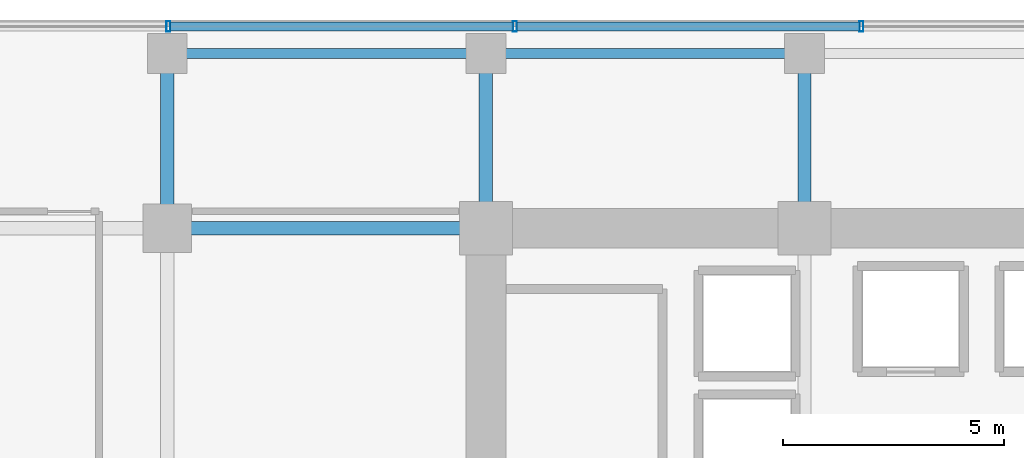
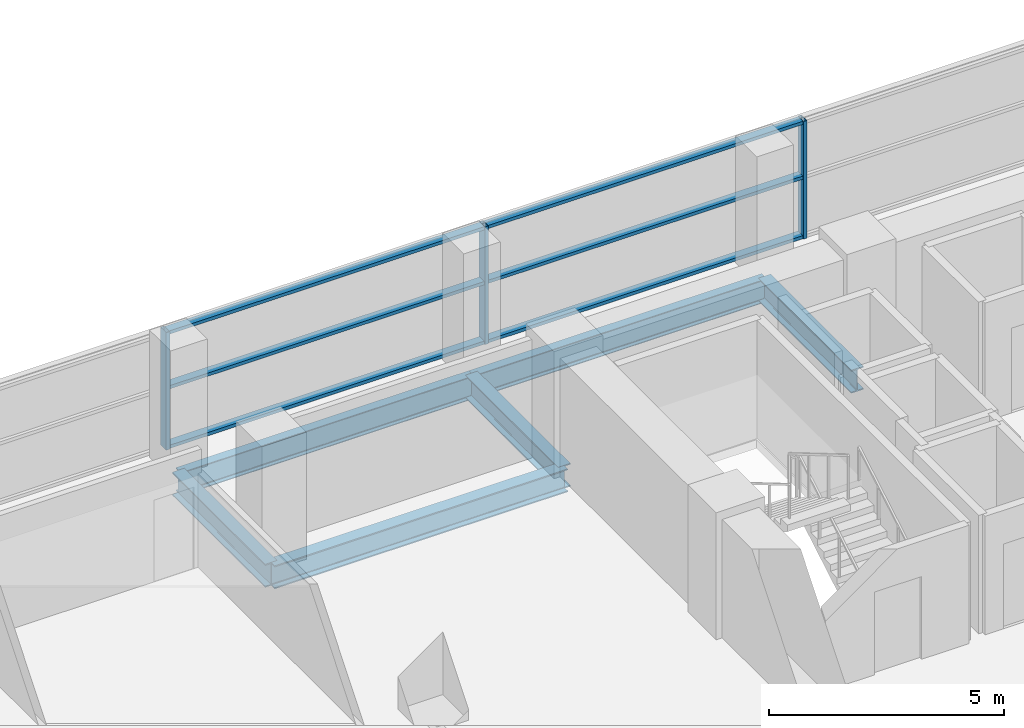
# One storey, part 17 of 30: 9 members, 6 beams, 1 element without a shape of its own.
"""IFC4 building model written with IfcOpenShell, lengths in metres."""

import ifcopenshell
import ifcopenshell.guid

model = None  # the IFC model being written
_history = None  # IfcOwnerHistory: only IFC2X3 demands one
_inside = {}  # id of a spatial element -> (the spatial element, [elements in it])
_under = {}  # id of a project, library or spatial element -> (it, [spatial elements below it])
_declared = {}  # id of a project -> (the project, [libraries it declares])
_typed = {}  # id of a type object -> (the type object, [elements of that type])
_made_of = {}  # id of a material, layer set ... -> (it, [elements and type objects made of it])


def new_model(schema):
    """Start an empty IFC model of exactly this schema.

    Asked for "IFC4X3", IfcOpenShell would pick the latest addendum, in which some entities
    have other attributes; the version numbers below select the first issue.
    IFC2X3 requires an IfcOwnerHistory on every rooted entity: one is made here for all.
    """
    global model, _history
    if schema == "IFC4X3":
        model = ifcopenshell.file(schema_version=(4, 3, 0, 0))
    else:
        model = ifcopenshell.file(schema=schema)
    _inside.clear()
    _under.clear()
    _declared.clear()
    _typed.clear()
    _made_of.clear()
    _history = None
    if model.schema == "IFC2X3":
        org = make("IfcOrganization", Name="unknown")
        user = make(
            "IfcPersonAndOrganization",
            ThePerson=make("IfcPerson", FamilyName="unknown"),
            TheOrganization=org,
        )
        app = make(
            "IfcApplication",
            ApplicationDeveloper=org,
            Version="unknown",
            ApplicationFullName="unknown",
            ApplicationIdentifier="unknown",
        )
        _history = make(
            "IfcOwnerHistory",
            OwningUser=user,
            OwningApplication=app,
            ChangeAction="ADDED",
            CreationDate=0,
        )
    return model


def make(cls, **values):
    """One entity of the class cls with the attributes given. An attribute that is None is left unset."""
    return model.create_entity(
        cls, **{name: value for name, value in values.items() if value is not None}
    )


def rooted(cls, **values):
    """An entity with a GlobalId (a new one), such as an element, a storey or a relation."""
    return make(cls, GlobalId=ifcopenshell.guid.new(), OwnerHistory=_history, **values)


def si_unit(unit_type, name, prefix=None):
    """IfcSIUnit, for example si_unit("LENGTHUNIT", "METRE", prefix="MILLI")."""
    return make("IfcSIUnit", UnitType=unit_type, Prefix=prefix, Name=name)


def assignment(units):
    """IfcUnitAssignment: the units of a project."""
    return None if units is None else make("IfcUnitAssignment", Units=units)


def point(xyz):
    """IfcCartesianPoint."""
    return None if xyz is None else make("IfcCartesianPoint", Coordinates=xyz)


def direction(xyz):
    """IfcDirection."""
    return None if xyz is None else make("IfcDirection", DirectionRatios=xyz)


def frame(location, z_axis=None, x_axis=None):
    """IfcAxis2Placement3D, a coordinate frame: its origin and axes. An axis left out is left unset."""
    return make(
        "IfcAxis2Placement3D",
        Location=point(location),
        Axis=direction(z_axis),
        RefDirection=direction(x_axis),
    )


def frame_2d(location, x_axis=None):
    """IfcAxis2Placement2D, a coordinate frame in the plane: its origin and x axis."""
    return make(
        "IfcAxis2Placement2D", Location=point(location), RefDirection=direction(x_axis)
    )


def origin():
    """The frame at (0, 0, 0) with its axes left unset."""
    return frame((0.0, 0.0, 0.0))


def origin_2d():
    """The frame at (0, 0) in the plane with its x axis left unset."""
    return frame_2d((0.0, 0.0))


def place(relative_to, where):
    """IfcLocalPlacement: puts the frame where relative to a parent placement (None: the world)."""
    return make(
        "IfcLocalPlacement", PlacementRelTo=relative_to, RelativePlacement=where
    )


def context(
    kind, dimensions, precision=None, world=None, true_north=None, identifier=None
):
    """IfcGeometricRepresentationContext, for example the 3D "Model" context."""
    return make(
        "IfcGeometricRepresentationContext",
        ContextIdentifier=identifier,
        ContextType=kind,
        CoordinateSpaceDimension=dimensions,
        Precision=precision,
        WorldCoordinateSystem=world,
        TrueNorth=true_north,
    )


def subcontext(parent, identifier, kind, view, scale=None):
    """IfcGeometricRepresentationSubContext, for example "Body" below "Model"."""
    return make(
        "IfcGeometricRepresentationSubContext",
        ContextIdentifier=identifier,
        ContextType=kind,
        ParentContext=parent,
        TargetScale=scale,
        TargetView=view,
    )


def project(units=None, contexts=None):
    """IfcProject with its units and contexts."""
    return rooted(
        "IfcProject",
        Name="project",
        RepresentationContexts=contexts,
        UnitsInContext=assignment(units),
    )


def spatial(cls, under=None, at=None, **own):
    """A site, building, storey or space (cls), placed at a placement, below another one or the project."""
    s = rooted(cls, ObjectPlacement=at, **own)
    if under is not None:
        _under.setdefault(under.id(), (under, []))[1].append(s)
    return s


def profile(cls, at=None, kind="AREA", **sizes):
    """A parametric profile (cls). Its sizes go by their IFC names, for example OverallWidth=200.0."""
    return make(cls, ProfileType=kind, Position=at, **sizes)


def hollow_rectangle(**sizes):
    """IfcRectangleHollowProfileDef."""
    return profile("IfcRectangleHollowProfileDef", **sizes)


def i_section(**sizes):
    """IfcIShapeProfileDef."""
    return profile("IfcIShapeProfileDef", **sizes)


def extrude(swept, where, along, depth):
    """IfcExtrudedAreaSolid: the profile swept, set in the frame where, extruded along a direction by depth."""
    return make(
        "IfcExtrudedAreaSolid",
        SweptArea=swept,
        Position=where,
        ExtrudedDirection=direction(along),
        Depth=depth,
    )


def shape(context_of_items, identifier, shape_type, items):
    """IfcShapeRepresentation: the items that make up one representation, for example the "Body"."""
    return make(
        "IfcShapeRepresentation",
        ContextOfItems=context_of_items,
        RepresentationIdentifier=identifier,
        RepresentationType=shape_type,
        Items=items,
    )


def source(mapping_origin, context_of_items, identifier, shape_type, items):
    """IfcRepresentationMap: a shape defined once, which mapped items show again and again."""
    return make(
        "IfcRepresentationMap",
        MappingOrigin=mapping_origin,
        MappedRepresentation=shape(context_of_items, identifier, shape_type, items),
    )


def transform(
    local_origin,
    x_axis=None,
    y_axis=None,
    z_axis=None,
    scale=None,
    scale2=None,
    scale3=None,
    uniform=True,
):
    """IfcCartesianTransformationOperator3D, or its non-uniform kind. x_axis, y_axis, z_axis: its Axis1, 2, 3."""
    if uniform:
        return make(
            "IfcCartesianTransformationOperator3D",
            Axis1=direction(x_axis),
            Axis2=direction(y_axis),
            LocalOrigin=point(local_origin),
            Scale=scale,
            Axis3=direction(z_axis),
        )
    return make(
        "IfcCartesianTransformationOperator3DnonUniform",
        Axis1=direction(x_axis),
        Axis2=direction(y_axis),
        LocalOrigin=point(local_origin),
        Scale=scale,
        Axis3=direction(z_axis),
        Scale2=scale2,
        Scale3=scale3,
    )


def mapped(mapping_source, mapping_target):
    """IfcMappedItem: shows the shape of a source again, moved by a transform."""
    return make(
        "IfcMappedItem", MappingSource=mapping_source, MappingTarget=mapping_target
    )


def material(Name=None, Category=None):
    """IfcMaterial."""
    return make("IfcMaterial", Name=Name, Category=Category)


def layer(
    of_material, thickness, ventilated=None, Name=None, Category=None, Priority=None
):
    """IfcMaterialLayer: one layer of a wall or slab, of a material (None: an air gap)."""
    return make(
        "IfcMaterialLayer",
        Material=of_material,
        LayerThickness=thickness,
        IsVentilated=ventilated,
        Name=Name,
        Category=Category,
        Priority=Priority,
    )


def layer_set(layers, Name=None):
    """IfcMaterialLayerSet."""
    return make("IfcMaterialLayerSet", MaterialLayers=layers, LayerSetName=Name)


def material_profile(
    of_material, cross_section, Name=None, Category=None, Priority=None
):
    """IfcMaterialProfile: a cross section and its material."""
    return make(
        "IfcMaterialProfile",
        Name=Name,
        Material=of_material,
        Profile=cross_section,
        Priority=Priority,
        Category=Category,
    )


def profile_set(profiles, Name=None, composite=None):
    """IfcMaterialProfileSet."""
    return make(
        "IfcMaterialProfileSet",
        Name=Name,
        MaterialProfiles=profiles,
        CompositeProfile=composite,
    )


def made_of(thing, what):
    """Note that an element or type object is made of a material, layer set ...; save() writes the relation."""
    if what is not None:
        _made_of.setdefault(what.id(), (what, []))[1].append(thing)
    return thing


def type_object(cls, material=None, **own):
    """A type object (cls), such as IfcWallType, which elements share."""
    return made_of(rooted(cls, **own), material)


def element(
    cls,
    number,
    at=None,
    inside=None,
    cuts=None,
    type_object=None,
    material=None,
    context=None,
    identifier="Body",
    shape_type=None,
    held_by="IfcProductDefinitionShape",
    body=None,
    shapes=None,
    **own,
):
    """One element of the class cls, such as IfcWall. Its Tag is "e" and its number.

    at: its placement. inside: the storey or other place that contains it. cuts: it is an
    opening in that element (IfcRelVoidsElement). A single representation is given by context,
    identifier, shape_type and body (its items); several are given by shapes. held_by: the class
    of the entity that holds the representations. save() writes the other relations.
    """
    e = rooted(cls, Tag="e%d" % number, ObjectPlacement=at, **own)
    if body is not None:
        shapes = [shape(context, identifier, shape_type, body)]
    if shapes is not None:
        e.Representation = make(held_by, Representations=shapes)
    if inside is not None:
        _inside.setdefault(inside.id(), (inside, []))[1].append(e)
    if cuts is not None:
        rooted(
            "IfcRelVoidsElement", RelatingBuildingElement=cuts, RelatedOpeningElement=e
        )
    if type_object is not None:
        _typed.setdefault(type_object.id(), (type_object, []))[1].append(e)
    return made_of(e, material)


def aggregate(whole, parts):
    """IfcRelAggregates: a whole, such as a stair, and the parts it consists of."""
    return rooted("IfcRelAggregates", RelatingObject=whole, RelatedObjects=parts)


def save(model, path):
    """Write the relations noted so far, then the file.

    IfcRelAggregates (storeys below a building ...), IfcRelContainedInSpatialStructure (elements
    in a storey), IfcRelDefinesByType, IfcRelAssociatesMaterial and IfcRelDeclares: one each for
    every whole, place, type object, material and project.
    """
    for whole, parts in _under.values():
        aggregate(whole, parts)
    for where, things in _inside.values():
        rooted(
            "IfcRelContainedInSpatialStructure",
            RelatedElements=things,
            RelatingStructure=where,
        )
    for kind, things in _typed.values():
        rooted("IfcRelDefinesByType", RelatedObjects=things, RelatingType=kind)
    for what, things in _made_of.values():
        rooted("IfcRelAssociatesMaterial", RelatedObjects=things, RelatingMaterial=what)
    for by, libraries in _declared.values():
        rooted("IfcRelDeclares", RelatingContext=by, RelatedDefinitions=libraries)
    model.write(path)


model = new_model("IFC4")

# Units and contexts
model_context = context("Model", 3, precision=1e-05, world=origin(), true_north=direction((0.0, 1.0)))
body_context = subcontext(model_context, "Body", "Model", "MODEL_VIEW")
ifc_project = project(units=[si_unit("LENGTHUNIT", "METRE"), si_unit("AREAUNIT", "SQUARE_METRE"), si_unit("VOLUMEUNIT", "CUBIC_METRE"), si_unit("PLANEANGLEUNIT", "RADIAN"), si_unit("MASSUNIT", "GRAM", prefix="KILO")], contexts=[model_context])

# Site, building, storey
site_placement = place(None, origin())
site = spatial("IfcSite", under=ifc_project, at=site_placement, CompositionType="ELEMENT")
building_placement = place(site_placement, origin())
building = spatial("IfcBuilding", under=site, at=building_placement, Name="Zarnakvel Exchange Tower", CompositionType="ELEMENT")
storey_placement = place(building_placement, frame((0.0, 0.0, 43.89990234375)))
storey = spatial("IfcBuildingStorey", under=building, at=storey_placement, Name="L11", CompositionType="ELEMENT", Elevation=43.89990234375)

# Beams
ifc_material_1 = material(Name="Steel S355", Category="steel")
ifc_material_profile_1 = material_profile(ifc_material_1, i_section(OverallWidth=0.300048828125, OverallDepth=0.60009765625, WebThickness=0.015380859375, FlangeThickness=0.030029296875, FilletRadius=0.027099609375, at=origin_2d()))
ifc_profile_set_1 = profile_set([ifc_material_profile_1], Name="Steel S355")
beam_type_1 = type_object("IfcBeamType", Name="G-04", PredefinedType="BEAM", material=ifc_profile_set_1)
beam_1_placement = place(storey_placement, frame((-21.60009765625, 13.5, -0.52490234375), z_axis=(1.0, 0.0, 0.0), x_axis=(0.0, 1.0, 0.0)))
element("IfcBeam", 1, at=beam_1_placement, inside=storey, type_object=beam_type_1, Name="L11 Tower E-W Frame Beam", PredefinedType="BEAM", context=body_context, shape_type="SweptSolid", body=[
    extrude(i_section(OverallWidth=0.300048828125, OverallDepth=0.60009765625, WebThickness=0.015380859375, FlangeThickness=0.030029296875, FilletRadius=0.027099609375, at=origin_2d()), origin(), (0.0, 0.0, 1.0), 7.2001953125),
])
for number, where, z_axis, x_axis, name in (
    (2, (-21.60009765625, 13.5, -0.52490234375), (0.0, 1.0, 0.0), (-1.0, 0.0, 0.0), "L11 Tower N-S Frame Beam"),
    (3, (-14.39990234375, 13.5, -0.52490234375), (0.0, 1.0, 0.0), (-1.0, 0.0, 0.0), "L11 Tower N-S Frame Beam"),
    (4, (-7.199951171875, 13.5, -0.52490234375), (0.0, 1.0, 0.0), (-1.0, 0.0, 0.0), "L11 Tower N-S Frame Beam"),
):
    element("IfcBeam", number, at=place(storey_placement, frame(where, z_axis=z_axis, x_axis=x_axis)), inside=storey, type_object=beam_type_1, Name=name, PredefinedType="BEAM", context=body_context, shape_type="SweptSolid", body=[
        extrude(i_section(OverallWidth=0.300048828125, OverallDepth=0.60009765625, WebThickness=0.015380859375, FlangeThickness=0.030029296875, FilletRadius=0.027099609375, at=origin_2d()), origin(), (0.0, 0.0, 1.0), 3.949951171875),
    ])
ifc_material_profile_2 = material_profile(ifc_material_1, i_section(OverallWidth=0.219970703125, OverallDepth=0.60009765625, WebThickness=0.011962890625, FlangeThickness=0.01904296875, FilletRadius=0.02392578125, at=origin_2d()))
ifc_profile_set_2 = profile_set([ifc_material_profile_2], Name="Steel S355")
beam_type_2 = type_object("IfcBeamType", Name="SP-01", PredefinedType="SPANDREL", material=ifc_profile_set_2)
beam_2_placement = place(storey_placement, frame((-21.60009765625, 17.449951171875, -0.52490234375), z_axis=(1.0, 0.0, 0.0), x_axis=(0.0, 1.0, 0.0)))
element("IfcBeam", 5, at=beam_2_placement, inside=storey, type_object=beam_type_2, Name="L11 Tower E-W Frame Beam", PredefinedType="SPANDREL", context=body_context, shape_type="SweptSolid", body=[
    extrude(i_section(OverallWidth=0.219970703125, OverallDepth=0.60009765625, WebThickness=0.011962890625, FlangeThickness=0.01904296875, FilletRadius=0.02392578125, at=origin_2d()), origin(), (0.0, 0.0, 1.0), 7.2001953125),
])
beam_3_placement = place(storey_placement, frame((-14.39990234375, 17.449951171875, -0.52490234375), z_axis=(1.0, 0.0, 0.0), x_axis=(0.0, 1.0, 0.0)))
element("IfcBeam", 6, at=beam_3_placement, inside=storey, type_object=beam_type_2, Name="L11 Tower E-W Frame Beam", PredefinedType="SPANDREL", context=body_context, shape_type="SweptSolid", body=[
    extrude(i_section(OverallWidth=0.219970703125, OverallDepth=0.60009765625, WebThickness=0.011962890625, FlangeThickness=0.01904296875, FilletRadius=0.02392578125, at=origin_2d()), origin(), (0.0, 0.0, 1.0), 7.199951171875),
])

# Curtain wall, members
ifc_material_2 = material(Name="Architectural Bronze Anodised Aluminium", Category="aluminium")
ifc_layer = layer(ifc_material_2, 0.239990234375)
ifc_layer_set = layer_set([ifc_layer], Name="Architectural Bronze Anodised Aluminium")
curtain_wall_type = type_object("IfcCurtainWallType", Name="CW-02", PredefinedType="NOTDEFINED", material=ifc_layer_set)
curtain_wall_placement = place(storey_placement, origin())
curtain_wall = element("IfcCurtainWall", 7, at=curtain_wall_placement, inside=storey, type_object=curtain_wall_type, Name="L11 Curtain Wall CW-L11-N1 (CW-02)", PredefinedType="NOTDEFINED")
ifc_material_profile_3 = material_profile(ifc_material_2, hollow_rectangle(XDim=0.239990234375, YDim=0.090087890625, WallThickness=0.006103515625, at=origin_2d()))
ifc_profile_set_3 = profile_set([ifc_material_profile_3], Name="Architectural Bronze Anodised Aluminium")
member_type_1 = type_object("IfcMemberType", Name="CWM-02", PredefinedType="MULLION", material=ifc_profile_set_3)
shared_shape_1 = source(origin(), body_context, "Body", "SweptSolid", [
    extrude(hollow_rectangle(XDim=0.239990234375, YDim=0.090087890625, WallThickness=0.006103515625, at=origin_2d()), origin(), (0.0, 0.0, 1.0), 3.05517578125),
])
member_1_placement = place(storey_placement, frame((-21.571533203125, 18.06005859375, 0.0), z_axis=(0.0, 0.0, 1.0), x_axis=(0.0, 1.0, 0.0)))
member_1 = element("IfcMember", 8, at=member_1_placement, type_object=member_type_1, Name="CW-02 mullion 2", PredefinedType="MULLION", context=body_context, shape_type="MappedRepresentation", body=[
    mapped(shared_shape_1, transform((0.0, 0.0, 0.0), x_axis=(1.0, 0.0, 0.0), y_axis=(0.0, 1.0, 0.0), z_axis=(0.0, 0.0, 1.0), scale=1.0)),
])
member_2_placement = place(storey_placement, frame((-13.742919921875, 18.06005859375, 0.0), z_axis=(0.0, 0.0, 1.0), x_axis=(0.0, 1.0, 0.0)))
member_2 = element("IfcMember", 9, at=member_2_placement, type_object=member_type_1, Name="CW-02 mullion 3", PredefinedType="MULLION", context=body_context, shape_type="MappedRepresentation", body=[
    mapped(shared_shape_1, transform((0.0, 0.0, 0.0), x_axis=(1.0, 0.0, 0.0), y_axis=(0.0, 1.0, 0.0), z_axis=(0.0, 0.0, 1.0), scale=1.0)),
])
member_3_placement = place(storey_placement, frame((-5.914306640625, 18.06005859375, 0.0), z_axis=(0.0, 0.0, 1.0), x_axis=(0.0, 1.0, 0.0)))
member_3 = element("IfcMember", 10, at=member_3_placement, type_object=member_type_1, Name="CW-02 mullion 4", PredefinedType="MULLION", context=body_context, shape_type="MappedRepresentation", body=[
    mapped(shared_shape_1, transform((0.0, 0.0, 0.0), x_axis=(1.0, 0.0, 0.0), y_axis=(0.0, 1.0, 0.0), z_axis=(0.0, 0.0, 1.0), scale=1.0)),
])
ifc_material_profile_4 = material_profile(ifc_material_2, hollow_rectangle(XDim=0.199951171875, YDim=0.0849609375, WallThickness=0.0048828125, at=origin_2d()))
ifc_profile_set_4 = profile_set([ifc_material_profile_4], Name="Architectural Bronze Anodised Aluminium")
member_type_2 = type_object("IfcMemberType", Name="CWT-02", PredefinedType="USERDEFINED", material=ifc_profile_set_4)
shared_shape_2 = source(origin(), body_context, "Body", "SweptSolid", [
    extrude(hollow_rectangle(XDim=0.199951171875, YDim=0.0849609375, WallThickness=0.0048828125, at=origin_2d()), origin(), (0.0, 0.0, 1.0), 7.738525390625),
])
member_4_placement = place(storey_placement, frame((-21.5263671875, 18.06005859375, 0.04248046875), z_axis=(1.0, 0.0, 0.0), x_axis=(0.0, 1.0, 0.0)))
member_4 = element("IfcMember", 11, at=member_4_placement, type_object=member_type_2, Name="CW-02 transom 2.1", ObjectType="TRANSOM", PredefinedType="USERDEFINED", context=body_context, shape_type="MappedRepresentation", body=[
    mapped(shared_shape_2, transform((0.0, 0.0, 0.0), x_axis=(1.0, 0.0, 0.0), y_axis=(0.0, 1.0, 0.0), z_axis=(0.0, 0.0, 1.0), scale=1.0)),
])
member_5_placement = place(storey_placement, frame((-21.5263671875, 18.06005859375, 1.588623046875), z_axis=(1.0, 0.0, 0.0), x_axis=(0.0, 1.0, 0.0)))
member_5 = element("IfcMember", 12, at=member_5_placement, type_object=member_type_2, Name="CW-02 transom 2.2", ObjectType="TRANSOM", PredefinedType="USERDEFINED", context=body_context, shape_type="MappedRepresentation", body=[
    mapped(shared_shape_2, transform((0.0, 0.0, 0.0), x_axis=(1.0, 0.0, 0.0), y_axis=(0.0, 1.0, 0.0), z_axis=(0.0, 0.0, 1.0), scale=1.0)),
])
member_6_placement = place(storey_placement, frame((-21.5263671875, 18.06005859375, 3.0126953125), z_axis=(1.0, 0.0, 0.0), x_axis=(0.0, 1.0, 0.0)))
member_6 = element("IfcMember", 13, at=member_6_placement, type_object=member_type_2, Name="CW-02 transom 2.3", ObjectType="TRANSOM", PredefinedType="USERDEFINED", context=body_context, shape_type="MappedRepresentation", body=[
    mapped(shared_shape_2, transform((0.0, 0.0, 0.0), x_axis=(1.0, 0.0, 0.0), y_axis=(0.0, 1.0, 0.0), z_axis=(0.0, 0.0, 1.0), scale=1.0)),
])
member_7_placement = place(storey_placement, frame((-13.69775390625, 18.06005859375, 0.04248046875), z_axis=(1.0, 0.0, 0.0), x_axis=(0.0, 1.0, 0.0)))
member_7 = element("IfcMember", 14, at=member_7_placement, type_object=member_type_2, Name="CW-02 transom 3.1", ObjectType="TRANSOM", PredefinedType="USERDEFINED", context=body_context, shape_type="MappedRepresentation", body=[
    mapped(shared_shape_2, transform((0.0, 0.0, 0.0), x_axis=(1.0, 0.0, 0.0), y_axis=(0.0, 1.0, 0.0), z_axis=(0.0, 0.0, 1.0), scale=1.0)),
])
member_8_placement = place(storey_placement, frame((-13.69775390625, 18.06005859375, 1.588623046875), z_axis=(1.0, 0.0, 0.0), x_axis=(0.0, 1.0, 0.0)))
member_8 = element("IfcMember", 15, at=member_8_placement, type_object=member_type_2, Name="CW-02 transom 3.2", ObjectType="TRANSOM", PredefinedType="USERDEFINED", context=body_context, shape_type="MappedRepresentation", body=[
    mapped(shared_shape_2, transform((0.0, 0.0, 0.0), x_axis=(1.0, 0.0, 0.0), y_axis=(0.0, 1.0, 0.0), z_axis=(0.0, 0.0, 1.0), scale=1.0)),
])
member_9_placement = place(storey_placement, frame((-13.69775390625, 18.06005859375, 3.0126953125), z_axis=(1.0, 0.0, 0.0), x_axis=(0.0, 1.0, 0.0)))
member_9 = element("IfcMember", 16, at=member_9_placement, type_object=member_type_2, Name="CW-02 transom 3.3", ObjectType="TRANSOM", PredefinedType="USERDEFINED", context=body_context, shape_type="MappedRepresentation", body=[
    mapped(shared_shape_2, transform((0.0, 0.0, 0.0), x_axis=(1.0, 0.0, 0.0), y_axis=(0.0, 1.0, 0.0), z_axis=(0.0, 0.0, 1.0), scale=1.0)),
])
aggregate(curtain_wall, [member_1, member_2, member_3, member_4, member_5, member_6, member_7, member_8, member_9])

save(model, "model.ifc")
